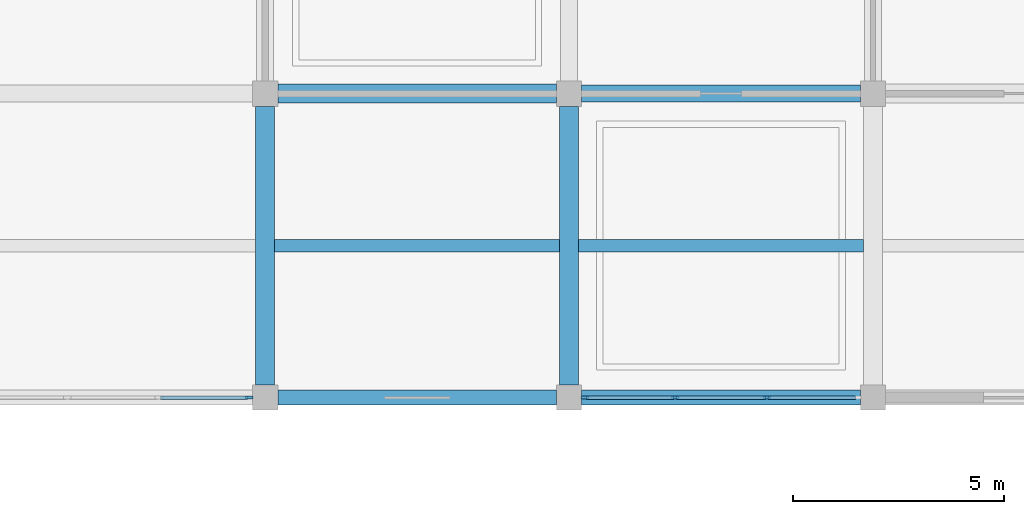
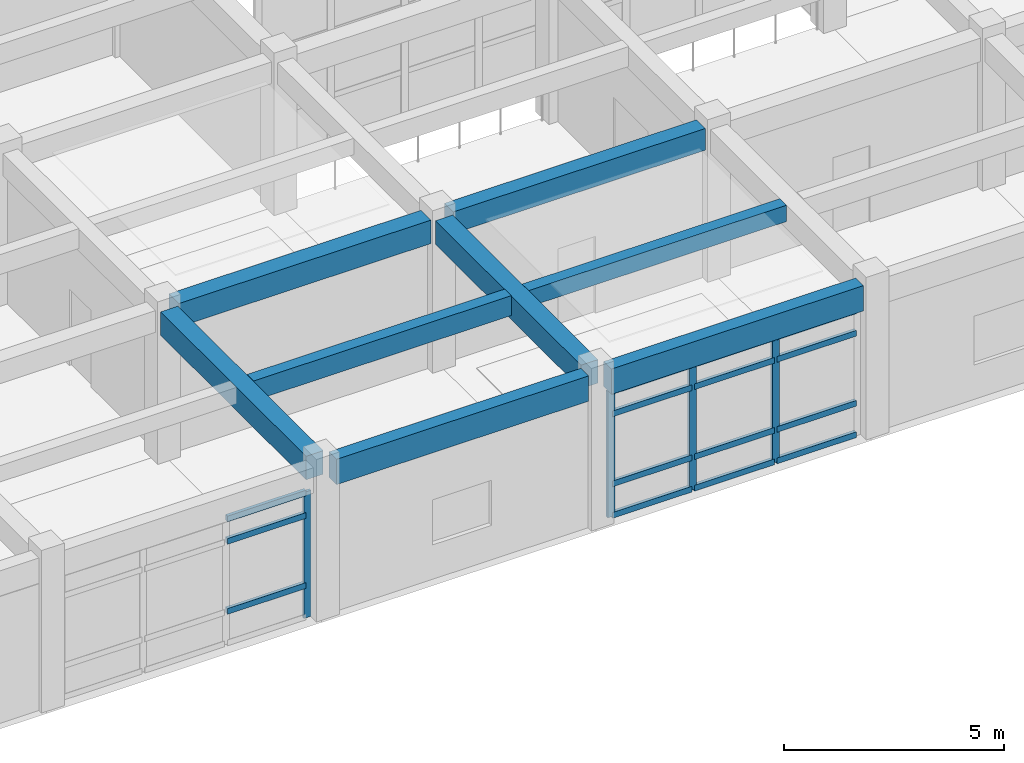
# One storey, part 18 of 81: 19 members, 8 beams, 2 elements without a shape of their own.
"""IFC4 building model written with IfcOpenShell, lengths in metres."""

import ifcopenshell
import ifcopenshell.guid

model = None  # the IFC model being written
_history = None  # IfcOwnerHistory: only IFC2X3 demands one
_inside = {}  # id of a spatial element -> (the spatial element, [elements in it])
_under = {}  # id of a project, library or spatial element -> (it, [spatial elements below it])
_declared = {}  # id of a project -> (the project, [libraries it declares])
_typed = {}  # id of a type object -> (the type object, [elements of that type])
_made_of = {}  # id of a material, layer set ... -> (it, [elements and type objects made of it])


def new_model(schema):
    """Start an empty IFC model of exactly this schema.

    Asked for "IFC4X3", IfcOpenShell would pick the latest addendum, in which some entities
    have other attributes; the version numbers below select the first issue.
    IFC2X3 requires an IfcOwnerHistory on every rooted entity: one is made here for all.
    """
    global model, _history
    if schema == "IFC4X3":
        model = ifcopenshell.file(schema_version=(4, 3, 0, 0))
    else:
        model = ifcopenshell.file(schema=schema)
    _inside.clear()
    _under.clear()
    _declared.clear()
    _typed.clear()
    _made_of.clear()
    _history = None
    if model.schema == "IFC2X3":
        org = make("IfcOrganization", Name="unknown")
        user = make(
            "IfcPersonAndOrganization",
            ThePerson=make("IfcPerson", FamilyName="unknown"),
            TheOrganization=org,
        )
        app = make(
            "IfcApplication",
            ApplicationDeveloper=org,
            Version="unknown",
            ApplicationFullName="unknown",
            ApplicationIdentifier="unknown",
        )
        _history = make(
            "IfcOwnerHistory",
            OwningUser=user,
            OwningApplication=app,
            ChangeAction="ADDED",
            CreationDate=0,
        )
    return model


def make(cls, **values):
    """One entity of the class cls with the attributes given. An attribute that is None is left unset."""
    return model.create_entity(
        cls, **{name: value for name, value in values.items() if value is not None}
    )


def rooted(cls, **values):
    """An entity with a GlobalId (a new one), such as an element, a storey or a relation."""
    return make(cls, GlobalId=ifcopenshell.guid.new(), OwnerHistory=_history, **values)


def si_unit(unit_type, name, prefix=None):
    """IfcSIUnit, for example si_unit("LENGTHUNIT", "METRE", prefix="MILLI")."""
    return make("IfcSIUnit", UnitType=unit_type, Prefix=prefix, Name=name)


def assignment(units):
    """IfcUnitAssignment: the units of a project."""
    return None if units is None else make("IfcUnitAssignment", Units=units)


def point(xyz):
    """IfcCartesianPoint."""
    return None if xyz is None else make("IfcCartesianPoint", Coordinates=xyz)


def direction(xyz):
    """IfcDirection."""
    return None if xyz is None else make("IfcDirection", DirectionRatios=xyz)


def frame(location, z_axis=None, x_axis=None):
    """IfcAxis2Placement3D, a coordinate frame: its origin and axes. An axis left out is left unset."""
    return make(
        "IfcAxis2Placement3D",
        Location=point(location),
        Axis=direction(z_axis),
        RefDirection=direction(x_axis),
    )


def frame_2d(location, x_axis=None):
    """IfcAxis2Placement2D, a coordinate frame in the plane: its origin and x axis."""
    return make(
        "IfcAxis2Placement2D", Location=point(location), RefDirection=direction(x_axis)
    )


def origin():
    """The frame at (0, 0, 0) with its axes left unset."""
    return frame((0.0, 0.0, 0.0))


def origin_2d():
    """The frame at (0, 0) in the plane with its x axis left unset."""
    return frame_2d((0.0, 0.0))


def place(relative_to, where):
    """IfcLocalPlacement: puts the frame where relative to a parent placement (None: the world)."""
    return make(
        "IfcLocalPlacement", PlacementRelTo=relative_to, RelativePlacement=where
    )


def context(
    kind, dimensions, precision=None, world=None, true_north=None, identifier=None
):
    """IfcGeometricRepresentationContext, for example the 3D "Model" context."""
    return make(
        "IfcGeometricRepresentationContext",
        ContextIdentifier=identifier,
        ContextType=kind,
        CoordinateSpaceDimension=dimensions,
        Precision=precision,
        WorldCoordinateSystem=world,
        TrueNorth=true_north,
    )


def subcontext(parent, identifier, kind, view, scale=None):
    """IfcGeometricRepresentationSubContext, for example "Body" below "Model"."""
    return make(
        "IfcGeometricRepresentationSubContext",
        ContextIdentifier=identifier,
        ContextType=kind,
        ParentContext=parent,
        TargetScale=scale,
        TargetView=view,
    )


def project(units=None, contexts=None):
    """IfcProject with its units and contexts."""
    return rooted(
        "IfcProject",
        Name="project",
        RepresentationContexts=contexts,
        UnitsInContext=assignment(units),
    )


def spatial(cls, under=None, at=None, **own):
    """A site, building, storey or space (cls), placed at a placement, below another one or the project."""
    s = rooted(cls, ObjectPlacement=at, **own)
    if under is not None:
        _under.setdefault(under.id(), (under, []))[1].append(s)
    return s


def profile(cls, at=None, kind="AREA", **sizes):
    """A parametric profile (cls). Its sizes go by their IFC names, for example OverallWidth=200.0."""
    return make(cls, ProfileType=kind, Position=at, **sizes)


def rectangle(**sizes):
    """IfcRectangleProfileDef."""
    return profile("IfcRectangleProfileDef", **sizes)


def extrude(swept, where, along, depth):
    """IfcExtrudedAreaSolid: the profile swept, set in the frame where, extruded along a direction by depth."""
    return make(
        "IfcExtrudedAreaSolid",
        SweptArea=swept,
        Position=where,
        ExtrudedDirection=direction(along),
        Depth=depth,
    )


def shape(context_of_items, identifier, shape_type, items):
    """IfcShapeRepresentation: the items that make up one representation, for example the "Body"."""
    return make(
        "IfcShapeRepresentation",
        ContextOfItems=context_of_items,
        RepresentationIdentifier=identifier,
        RepresentationType=shape_type,
        Items=items,
    )


def material(Name=None, Category=None):
    """IfcMaterial."""
    return make("IfcMaterial", Name=Name, Category=Category)


def layer(
    of_material, thickness, ventilated=None, Name=None, Category=None, Priority=None
):
    """IfcMaterialLayer: one layer of a wall or slab, of a material (None: an air gap)."""
    return make(
        "IfcMaterialLayer",
        Material=of_material,
        LayerThickness=thickness,
        IsVentilated=ventilated,
        Name=Name,
        Category=Category,
        Priority=Priority,
    )


def layer_set(layers, Name=None):
    """IfcMaterialLayerSet."""
    return make("IfcMaterialLayerSet", MaterialLayers=layers, LayerSetName=Name)


def material_profile(
    of_material, cross_section, Name=None, Category=None, Priority=None
):
    """IfcMaterialProfile: a cross section and its material."""
    return make(
        "IfcMaterialProfile",
        Name=Name,
        Material=of_material,
        Profile=cross_section,
        Priority=Priority,
        Category=Category,
    )


def profile_set(profiles, Name=None, composite=None):
    """IfcMaterialProfileSet."""
    return make(
        "IfcMaterialProfileSet",
        Name=Name,
        MaterialProfiles=profiles,
        CompositeProfile=composite,
    )


def made_of(thing, what):
    """Note that an element or type object is made of a material, layer set ...; save() writes the relation."""
    if what is not None:
        _made_of.setdefault(what.id(), (what, []))[1].append(thing)
    return thing


def type_object(cls, material=None, **own):
    """A type object (cls), such as IfcWallType, which elements share."""
    return made_of(rooted(cls, **own), material)


def element(
    cls,
    number,
    at=None,
    inside=None,
    cuts=None,
    type_object=None,
    material=None,
    context=None,
    identifier="Body",
    shape_type=None,
    held_by="IfcProductDefinitionShape",
    body=None,
    shapes=None,
    **own,
):
    """One element of the class cls, such as IfcWall. Its Tag is "e" and its number.

    at: its placement. inside: the storey or other place that contains it. cuts: it is an
    opening in that element (IfcRelVoidsElement). A single representation is given by context,
    identifier, shape_type and body (its items); several are given by shapes. held_by: the class
    of the entity that holds the representations. save() writes the other relations.
    """
    e = rooted(cls, Tag="e%d" % number, ObjectPlacement=at, **own)
    if body is not None:
        shapes = [shape(context, identifier, shape_type, body)]
    if shapes is not None:
        e.Representation = make(held_by, Representations=shapes)
    if inside is not None:
        _inside.setdefault(inside.id(), (inside, []))[1].append(e)
    if cuts is not None:
        rooted(
            "IfcRelVoidsElement", RelatingBuildingElement=cuts, RelatedOpeningElement=e
        )
    if type_object is not None:
        _typed.setdefault(type_object.id(), (type_object, []))[1].append(e)
    return made_of(e, material)


def aggregate(whole, parts):
    """IfcRelAggregates: a whole, such as a stair, and the parts it consists of."""
    return rooted("IfcRelAggregates", RelatingObject=whole, RelatedObjects=parts)


def save(model, path):
    """Write the relations noted so far, then the file.

    IfcRelAggregates (storeys below a building ...), IfcRelContainedInSpatialStructure (elements
    in a storey), IfcRelDefinesByType, IfcRelAssociatesMaterial and IfcRelDeclares: one each for
    every whole, place, type object, material and project.
    """
    for whole, parts in _under.values():
        aggregate(whole, parts)
    for where, things in _inside.values():
        rooted(
            "IfcRelContainedInSpatialStructure",
            RelatedElements=things,
            RelatingStructure=where,
        )
    for kind, things in _typed.values():
        rooted("IfcRelDefinesByType", RelatedObjects=things, RelatingType=kind)
    for what, things in _made_of.values():
        rooted("IfcRelAssociatesMaterial", RelatedObjects=things, RelatingMaterial=what)
    for by, libraries in _declared.values():
        rooted("IfcRelDeclares", RelatingContext=by, RelatedDefinitions=libraries)
    model.write(path)


model = new_model("IFC4")

# Units and contexts
model_context = context("Model", 3, precision=1e-05, world=origin(), true_north=direction((0.0, 1.0)))
body_context = subcontext(model_context, "Body", "Model", "MODEL_VIEW")
ifc_project = project(units=[si_unit("LENGTHUNIT", "METRE"), si_unit("AREAUNIT", "SQUARE_METRE"), si_unit("VOLUMEUNIT", "CUBIC_METRE"), si_unit("PLANEANGLEUNIT", "RADIAN"), si_unit("MASSUNIT", "GRAM", prefix="KILO")], contexts=[model_context])

# Site, building, storey
site_placement = place(None, origin())
site = spatial("IfcSite", under=ifc_project, at=site_placement, CompositionType="ELEMENT")
building_placement = place(site_placement, origin())
building = spatial("IfcBuilding", under=site, at=building_placement, Name="Kavelor Marine Aquarium", CompositionType="ELEMENT")
storey_placement = place(building_placement, frame((0.0, 0.0, 4.679931640625)))
storey = spatial("IfcBuildingStorey", under=building, at=storey_placement, Name="L01", CompositionType="ELEMENT", Elevation=4.679931640625)

# Beams
ifc_material_1 = material(Name="Concrete C40/50", Category="concrete")
ifc_material_profile_1 = material_profile(ifc_material_1, rectangle(XDim=0.449951171875, YDim=0.64990234375, at=origin_2d()), Name="RC-BM 450x650")
ifc_profile_set_1 = profile_set([ifc_material_profile_1], Name="Concrete C40/50")
beam_type_1 = type_object("IfcBeamType", Name="BM-B3", PredefinedType="BEAM", material=ifc_profile_set_1)
for number, where, z_axis, x_axis, name in (
    (1, (53.89990234375, 96.39990234375, 3.875), (1.0, 0.0, 0.0), (0.0, 1.0, 0.0), "bm:x:L01:L02:07_13"),
    (2, (53.60009765625, 89.5, 3.875), (0.0, 1.0, 0.0), (-1.0, 0.0, 0.0), "bm:y:L01:L02:07_12"),
    (3, (60.800048828125, 89.5, 3.875), (0.0, 1.0, 0.0), (-1.0, 0.0, 0.0), "bm:y:L01:L02:08_12"),
):
    element("IfcBeam", number, at=place(storey_placement, frame(where, z_axis=z_axis, x_axis=x_axis)), inside=storey, type_object=beam_type_1, Name=name, PredefinedType="BEAM", context=body_context, shape_type="SweptSolid", body=[
        extrude(rectangle(XDim=0.449951171875, YDim=0.64990234375, at=origin_2d()), origin(), (0.0, 0.0, 1.0), 6.60009765625),
    ])
ifc_material_2 = material(Name="Concrete C40/50", Category="concrete")
ifc_material_profile_2 = material_profile(ifc_material_2, rectangle(XDim=0.39990234375, YDim=0.60009765625, at=origin_2d()), Name="RC-BM 400x600")
ifc_profile_set_2 = profile_set([ifc_material_profile_2], Name="Concrete C40/50")
beam_type_2 = type_object("IfcBeamType", Name="BM-B4", PredefinedType="BEAM", material=ifc_profile_set_2)
beam_1_placement = place(storey_placement, frame((61.10009765625, 96.39990234375, 3.900146484375), z_axis=(1.0, 0.0, 0.0), x_axis=(0.0, 1.0, 0.0)))
element("IfcBeam", 4, at=beam_1_placement, inside=storey, type_object=beam_type_2, Name="bm:x:L01:L02:08_13", PredefinedType="BEAM", context=body_context, shape_type="SweptSolid", body=[
    extrude(rectangle(XDim=0.39990234375, YDim=0.60009765625, at=origin_2d()), origin(), (0.0, 0.0, 1.0), 6.599853515625),
])
ifc_material_3 = material(Name="Concrete C40/50", Category="concrete")
ifc_material_profile_3 = material_profile(ifc_material_3, rectangle(XDim=0.300048828125, YDim=0.449951171875, at=origin_2d()), Name="RC-JS 300x450")
ifc_profile_set_3 = profile_set([ifc_material_profile_3], Name="Concrete C40/50")
beam_type_3 = type_object("IfcBeamType", Name="BM-JS1", PredefinedType="JOIST", material=ifc_profile_set_3)
beam_2_placement = place(storey_placement, frame((61.02490234375, 92.800048828125, 3.97509765625), z_axis=(1.0, 0.0, 0.0), x_axis=(0.0, 1.0, 0.0)))
element("IfcBeam", 5, at=beam_2_placement, inside=storey, type_object=beam_type_3, Name="js:L01:L02:08_12", PredefinedType="JOIST", context=body_context, shape_type="SweptSolid", body=[
    extrude(rectangle(XDim=0.300048828125, YDim=0.449951171875, at=origin_2d()), origin(), (0.0, 0.0, 1.0), 6.75),
])
ifc_material_4 = material(Name="Concrete C40/50", Category="concrete")
ifc_material_profile_4 = material_profile(ifc_material_4, rectangle(XDim=0.300048828125, YDim=0.550048828125, at=origin_2d()), Name="RC-JS 300x550")
ifc_profile_set_4 = profile_set([ifc_material_profile_4], Name="Concrete C40/50")
beam_type_4 = type_object("IfcBeamType", Name="BM-JS2", PredefinedType="JOIST", material=ifc_profile_set_4)
beam_3_placement = place(storey_placement, frame((53.824951171875, 92.800048828125, 3.945068359375), z_axis=(1.0, 0.0, 0.0), x_axis=(0.0, 1.0, 0.0)))
element("IfcBeam", 6, at=beam_3_placement, inside=storey, type_object=beam_type_4, Name="js:L01:L02:07_12", PredefinedType="JOIST", context=body_context, shape_type="SweptSolid", body=[
    extrude(rectangle(XDim=0.300048828125, YDim=0.550048828125, at=origin_2d()), origin(), (0.0, 0.0, 1.0), 6.75),
])
ifc_material_5 = material(Name="Concrete C40/50", Category="concrete")
ifc_material_profile_5 = material_profile(ifc_material_5, rectangle(XDim=0.35009765625, YDim=0.699951171875, at=origin_2d()), Name="RC-SP 350x700")
ifc_profile_set_5 = profile_set([ifc_material_profile_5], Name="Concrete C40/50")
beam_type_5 = type_object("IfcBeamType", Name="BM-SP1", PredefinedType="SPANDREL", material=ifc_profile_set_5)
beam_4_placement = place(storey_placement, frame((53.89990234375, 89.199951171875, 3.8701171875), z_axis=(1.0, 0.0, 0.0), x_axis=(0.0, 1.0, 0.0)))
element("IfcBeam", 7, at=beam_4_placement, inside=storey, type_object=beam_type_5, Name="bm:x:L01:L02:07_12", PredefinedType="SPANDREL", context=body_context, shape_type="SweptSolid", body=[
    extrude(rectangle(XDim=0.35009765625, YDim=0.699951171875, at=origin_2d()), origin(), (0.0, 0.0, 1.0), 6.60009765625),
])
beam_5_placement = place(storey_placement, frame((61.10009765625, 89.199951171875, 3.85009765625), z_axis=(1.0, 0.0, 0.0), x_axis=(0.0, 1.0, 0.0)))
element("IfcBeam", 8, at=beam_5_placement, inside=storey, type_object=beam_type_5, Name="bm:x:L01:L02:08_12", PredefinedType="SPANDREL", context=body_context, shape_type="SweptSolid", body=[
    extrude(rectangle(XDim=0.35009765625, YDim=0.699951171875, at=origin_2d()), origin(), (0.0, 0.0, 1.0), 6.599853515625),
])

# Curtain wall, member
ifc_material_6 = material(Name="Thermally Broken Aluminium and Low-E Glass", Category="aluminium")
ifc_layer_1 = layer(ifc_material_6, 0.31591796875)
ifc_layer_set_1 = layer_set([ifc_layer_1], Name="CW-SYS22")
curtain_wall_type_1 = type_object("IfcCurtainWallType", Name="CW-SYS22", PredefinedType="USERDEFINED", material=ifc_layer_set_1)
curtain_wall_1_placement = place(storey_placement, origin())
curtain_wall_1 = element("IfcCurtainWall", 9, at=curtain_wall_1_placement, inside=storey, type_object=curtain_wall_type_1, Name="cw:x:L01:06_12", ObjectType="Curtain Wall", PredefinedType="USERDEFINED")
ifc_material_7 = material(Name="Anodised Aluminium Alloy 6063-T6", Category="aluminium")
ifc_material_profile_6 = material_profile(ifc_material_7, rectangle(XDim=0.074951171875, YDim=0.179931640625, at=origin_2d()), Name="CW-MUL 75x180")
ifc_profile_set_6 = profile_set([ifc_material_profile_6], Name="Anodised Aluminium Alloy 6063-T6")
member_type_1 = type_object("IfcMemberType", Name="CWM-1", PredefinedType="MULLION", material=ifc_profile_set_6)
member_1_placement = place(storey_placement, frame((53.217529296875, 89.199951171875, 0.0), z_axis=(0.0, 0.0, 1.0), x_axis=(0.0, -1.0, 0.0)))
member_1 = element("IfcMember", 10, at=member_1_placement, type_object=member_type_1, Name="CW22 mullion 1", PredefinedType="MULLION", context=body_context, shape_type="SweptSolid", body=[
    extrude(rectangle(XDim=0.074951171875, YDim=0.179931640625, at=origin_2d()), origin(), (0.0, 0.0, 1.0), 3.489990234375),
])

# Curtain wall, members
ifc_material_8 = material(Name="Thermally Broken Aluminium and Low-E Glass", Category="aluminium")
ifc_layer_2 = layer(ifc_material_8, 0.323974609375)
ifc_layer_set_2 = layer_set([ifc_layer_2], Name="CW-SYS23")
curtain_wall_type_2 = type_object("IfcCurtainWallType", Name="CW-SYS23", PredefinedType="USERDEFINED", material=ifc_layer_set_2)
curtain_wall_2_placement = place(storey_placement, origin())
curtain_wall_2 = element("IfcCurtainWall", 11, at=curtain_wall_2_placement, inside=storey, type_object=curtain_wall_type_2, Name="cw:x:L01:08_12", ObjectType="Curtain Wall", PredefinedType="USERDEFINED")
ifc_material_9 = material(Name="Anodised Aluminium Alloy 6063-T6", Category="aluminium")
ifc_material_profile_7 = material_profile(ifc_material_9, rectangle(XDim=0.080078125, YDim=0.18505859375, at=origin_2d()), Name="CW-MUL 80x185")
ifc_profile_set_7 = profile_set([ifc_material_profile_7], Name="Anodised Aluminium Alloy 6063-T6")
member_type_2 = type_object("IfcMemberType", Name="CWM-2", PredefinedType="MULLION", material=ifc_profile_set_7)
member_2_placement = place(storey_placement, frame((65.485107421875, 89.199951171875, 0.0), z_axis=(0.0, 0.0, 1.0), x_axis=(0.0, -1.0, 0.0)))
member_2 = element("IfcMember", 12, at=member_2_placement, type_object=member_type_2, Name="CW23 mullion 2", PredefinedType="MULLION", context=body_context, shape_type="SweptSolid", body=[
    extrude(rectangle(XDim=0.080078125, YDim=0.18505859375, at=origin_2d()), origin(), (0.0, 0.0, 1.0), 3.489990234375),
])
member_3_placement = place(storey_placement, frame((63.31494140625, 89.199951171875, 0.0), z_axis=(0.0, 0.0, 1.0), x_axis=(0.0, -1.0, 0.0)))
member_3 = element("IfcMember", 13, at=member_3_placement, type_object=member_type_2, Name="CW23 mullion 3", PredefinedType="MULLION", context=body_context, shape_type="SweptSolid", body=[
    extrude(rectangle(XDim=0.080078125, YDim=0.18505859375, at=origin_2d()), origin(), (0.0, 0.0, 1.0), 3.489990234375),
])
member_4_placement = place(storey_placement, frame((61.177490234375, 89.199951171875, 0.0), z_axis=(0.0, 0.0, 1.0), x_axis=(0.0, -1.0, 0.0)))
member_4 = element("IfcMember", 14, at=member_4_placement, type_object=member_type_2, Name="CW23 mullion 4", PredefinedType="MULLION", context=body_context, shape_type="SweptSolid", body=[
    extrude(rectangle(XDim=0.080078125, YDim=0.18505859375, at=origin_2d()), origin(), (0.0, 0.0, 1.0), 3.489990234375),
])

# Member
ifc_material_10 = material(Name="Anodised Aluminium Alloy 6063-T6", Category="aluminium")
ifc_material_profile_8 = material_profile(ifc_material_10, rectangle(XDim=0.0849609375, YDim=0.159912109375, at=origin_2d()), Name="CW-TRN 85x160")
ifc_profile_set_8 = profile_set([ifc_material_profile_8], Name="Anodised Aluminium Alloy 6063-T6")
member_type_3 = type_object("IfcMemberType", Name="CWT-3", PredefinedType="USERDEFINED", material=ifc_profile_set_8)
member_5_placement = place(storey_placement, frame((53.179931640625, 89.199951171875, 0.900146484375), z_axis=(-1.0, 0.0, 0.0), x_axis=(0.0, -1.0, 0.0)))
member_5 = element("IfcMember", 15, at=member_5_placement, type_object=member_type_3, Name="CW22 transom 1.2", ObjectType="TRANSOM", PredefinedType="USERDEFINED", context=body_context, shape_type="SweptSolid", body=[
    extrude(rectangle(XDim=0.0849609375, YDim=0.159912109375, at=origin_2d()), origin(), (0.0, 0.0, 1.0), 2.057373046875),
])

member_6_placement = place(storey_placement, frame((53.179931640625, 89.199951171875, 2.840087890625), z_axis=(-1.0, 0.0, 0.0), x_axis=(0.0, -1.0, 0.0)))
member_6 = element("IfcMember", 16, at=member_6_placement, type_object=member_type_3, Name="CW22 transom 1.3", ObjectType="TRANSOM", PredefinedType="USERDEFINED", context=body_context, shape_type="SweptSolid", body=[
    extrude(rectangle(XDim=0.0849609375, YDim=0.159912109375, at=origin_2d()), origin(), (0.0, 0.0, 1.0), 2.057373046875),
])

member_7_placement = place(storey_placement, frame((53.179931640625, 89.199951171875, 3.4599609375), z_axis=(-1.0, 0.0, 0.0), x_axis=(0.0, -1.0, 0.0)))
member_7 = element("IfcMember", 17, at=member_7_placement, type_object=member_type_3, Name="CW22 transom 1.4", ObjectType="TRANSOM", PredefinedType="USERDEFINED", context=body_context, shape_type="SweptSolid", body=[
    extrude(rectangle(XDim=0.0849609375, YDim=0.159912109375, at=origin_2d()), origin(), (0.0, 0.0, 1.0), 2.057373046875),
])

aggregate(curtain_wall_1, [member_1, member_5, member_6, member_7])

member_8_placement = place(storey_placement, frame((67.590087890625, 89.199951171875, 0.030029296875), z_axis=(-1.0, 0.0, 0.0), x_axis=(0.0, -1.0, 0.0)))
member_8 = element("IfcMember", 18, at=member_8_placement, type_object=member_type_3, Name="CW23 transom 1.1", ObjectType="TRANSOM", PredefinedType="USERDEFINED", context=body_context, shape_type="SweptSolid", body=[
    extrude(rectangle(XDim=0.0849609375, YDim=0.159912109375, at=origin_2d()), origin(), (0.0, 0.0, 1.0), 2.072509765625),
])

member_9_placement = place(storey_placement, frame((67.590087890625, 89.199951171875, 0.900146484375), z_axis=(-1.0, 0.0, 0.0), x_axis=(0.0, -1.0, 0.0)))
member_9 = element("IfcMember", 19, at=member_9_placement, type_object=member_type_3, Name="CW23 transom 1.2", ObjectType="TRANSOM", PredefinedType="USERDEFINED", context=body_context, shape_type="SweptSolid", body=[
    extrude(rectangle(XDim=0.0849609375, YDim=0.159912109375, at=origin_2d()), origin(), (0.0, 0.0, 1.0), 2.072509765625),
])

member_10_placement = place(storey_placement, frame((67.590087890625, 89.199951171875, 2.840087890625), z_axis=(-1.0, 0.0, 0.0), x_axis=(0.0, -1.0, 0.0)))
member_10 = element("IfcMember", 20, at=member_10_placement, type_object=member_type_3, Name="CW23 transom 1.3", ObjectType="TRANSOM", PredefinedType="USERDEFINED", context=body_context, shape_type="SweptSolid", body=[
    extrude(rectangle(XDim=0.0849609375, YDim=0.159912109375, at=origin_2d()), origin(), (0.0, 0.0, 1.0), 2.072509765625),
])

member_11_placement = place(storey_placement, frame((67.590087890625, 89.199951171875, 3.4599609375), z_axis=(-1.0, 0.0, 0.0), x_axis=(0.0, -1.0, 0.0)))
member_11 = element("IfcMember", 21, at=member_11_placement, type_object=member_type_3, Name="CW23 transom 1.4", ObjectType="TRANSOM", PredefinedType="USERDEFINED", context=body_context, shape_type="SweptSolid", body=[
    extrude(rectangle(XDim=0.0849609375, YDim=0.159912109375, at=origin_2d()), origin(), (0.0, 0.0, 1.0), 2.072509765625),
])

member_12_placement = place(storey_placement, frame((65.452392578125, 89.199951171875, 0.030029296875), z_axis=(-1.0, 0.0, 0.0), x_axis=(0.0, -1.0, 0.0)))
member_12 = element("IfcMember", 22, at=member_12_placement, type_object=member_type_3, Name="CW23 transom 2.1", ObjectType="TRANSOM", PredefinedType="USERDEFINED", context=body_context, shape_type="SweptSolid", body=[
    extrude(rectangle(XDim=0.0849609375, YDim=0.159912109375, at=origin_2d()), origin(), (0.0, 0.0, 1.0), 2.10498046875),
])

member_13_placement = place(storey_placement, frame((65.452392578125, 89.199951171875, 0.900146484375), z_axis=(-1.0, 0.0, 0.0), x_axis=(0.0, -1.0, 0.0)))
member_13 = element("IfcMember", 23, at=member_13_placement, type_object=member_type_3, Name="CW23 transom 2.2", ObjectType="TRANSOM", PredefinedType="USERDEFINED", context=body_context, shape_type="SweptSolid", body=[
    extrude(rectangle(XDim=0.0849609375, YDim=0.159912109375, at=origin_2d()), origin(), (0.0, 0.0, 1.0), 2.10498046875),
])

member_14_placement = place(storey_placement, frame((65.452392578125, 89.199951171875, 2.840087890625), z_axis=(-1.0, 0.0, 0.0), x_axis=(0.0, -1.0, 0.0)))
member_14 = element("IfcMember", 24, at=member_14_placement, type_object=member_type_3, Name="CW23 transom 2.3", ObjectType="TRANSOM", PredefinedType="USERDEFINED", context=body_context, shape_type="SweptSolid", body=[
    extrude(rectangle(XDim=0.0849609375, YDim=0.159912109375, at=origin_2d()), origin(), (0.0, 0.0, 1.0), 2.10498046875),
])

member_15_placement = place(storey_placement, frame((65.452392578125, 89.199951171875, 3.4599609375), z_axis=(-1.0, 0.0, 0.0), x_axis=(0.0, -1.0, 0.0)))
member_15 = element("IfcMember", 25, at=member_15_placement, type_object=member_type_3, Name="CW23 transom 2.4", ObjectType="TRANSOM", PredefinedType="USERDEFINED", context=body_context, shape_type="SweptSolid", body=[
    extrude(rectangle(XDim=0.0849609375, YDim=0.159912109375, at=origin_2d()), origin(), (0.0, 0.0, 1.0), 2.10498046875),
])

member_16_placement = place(storey_placement, frame((63.282470703125, 89.199951171875, 0.030029296875), z_axis=(-1.0, 0.0, 0.0), x_axis=(0.0, -1.0, 0.0)))
member_16 = element("IfcMember", 26, at=member_16_placement, type_object=member_type_3, Name="CW23 transom 3.1", ObjectType="TRANSOM", PredefinedType="USERDEFINED", context=body_context, shape_type="SweptSolid", body=[
    extrude(rectangle(XDim=0.0849609375, YDim=0.159912109375, at=origin_2d()), origin(), (0.0, 0.0, 1.0), 2.072509765625),
])

member_17_placement = place(storey_placement, frame((63.282470703125, 89.199951171875, 0.900146484375), z_axis=(-1.0, 0.0, 0.0), x_axis=(0.0, -1.0, 0.0)))
member_17 = element("IfcMember", 27, at=member_17_placement, type_object=member_type_3, Name="CW23 transom 3.2", ObjectType="TRANSOM", PredefinedType="USERDEFINED", context=body_context, shape_type="SweptSolid", body=[
    extrude(rectangle(XDim=0.0849609375, YDim=0.159912109375, at=origin_2d()), origin(), (0.0, 0.0, 1.0), 2.072509765625),
])

member_18_placement = place(storey_placement, frame((63.282470703125, 89.199951171875, 2.840087890625), z_axis=(-1.0, 0.0, 0.0), x_axis=(0.0, -1.0, 0.0)))
member_18 = element("IfcMember", 28, at=member_18_placement, type_object=member_type_3, Name="CW23 transom 3.3", ObjectType="TRANSOM", PredefinedType="USERDEFINED", context=body_context, shape_type="SweptSolid", body=[
    extrude(rectangle(XDim=0.0849609375, YDim=0.159912109375, at=origin_2d()), origin(), (0.0, 0.0, 1.0), 2.072509765625),
])

member_19_placement = place(storey_placement, frame((63.282470703125, 89.199951171875, 3.4599609375), z_axis=(-1.0, 0.0, 0.0), x_axis=(0.0, -1.0, 0.0)))
member_19 = element("IfcMember", 29, at=member_19_placement, type_object=member_type_3, Name="CW23 transom 3.4", ObjectType="TRANSOM", PredefinedType="USERDEFINED", context=body_context, shape_type="SweptSolid", body=[
    extrude(rectangle(XDim=0.0849609375, YDim=0.159912109375, at=origin_2d()), origin(), (0.0, 0.0, 1.0), 2.072509765625),
])

aggregate(curtain_wall_2, [member_2, member_3, member_4, member_8, member_9, member_10, member_11, member_12, member_13, member_14, member_15, member_16, member_17, member_18, member_19])

save(model, "model.ifc")
